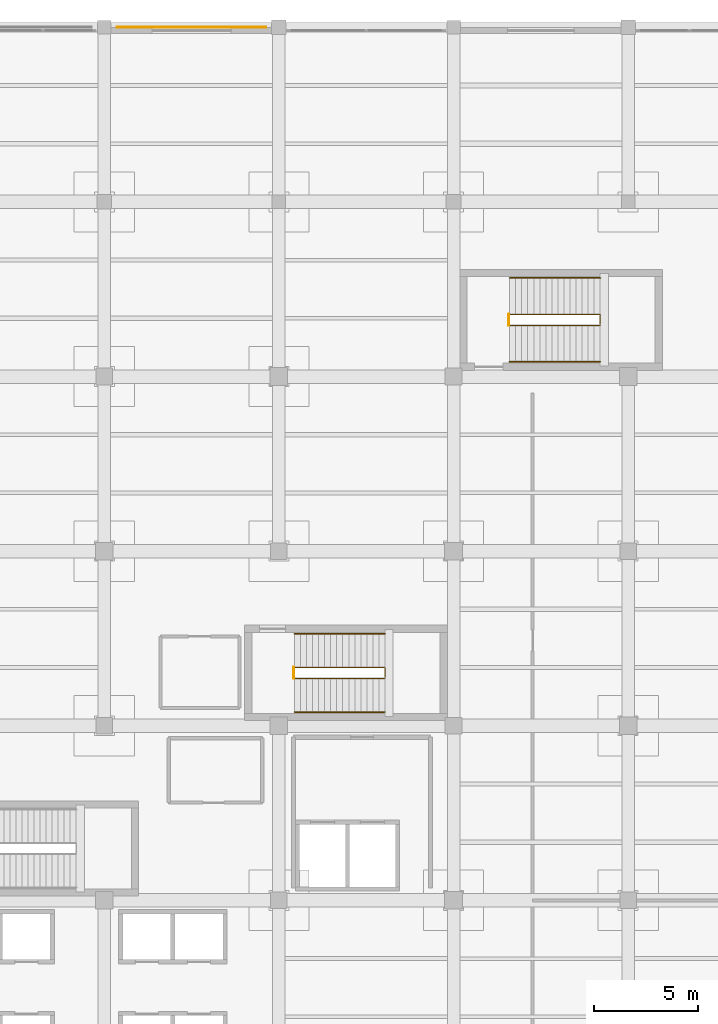
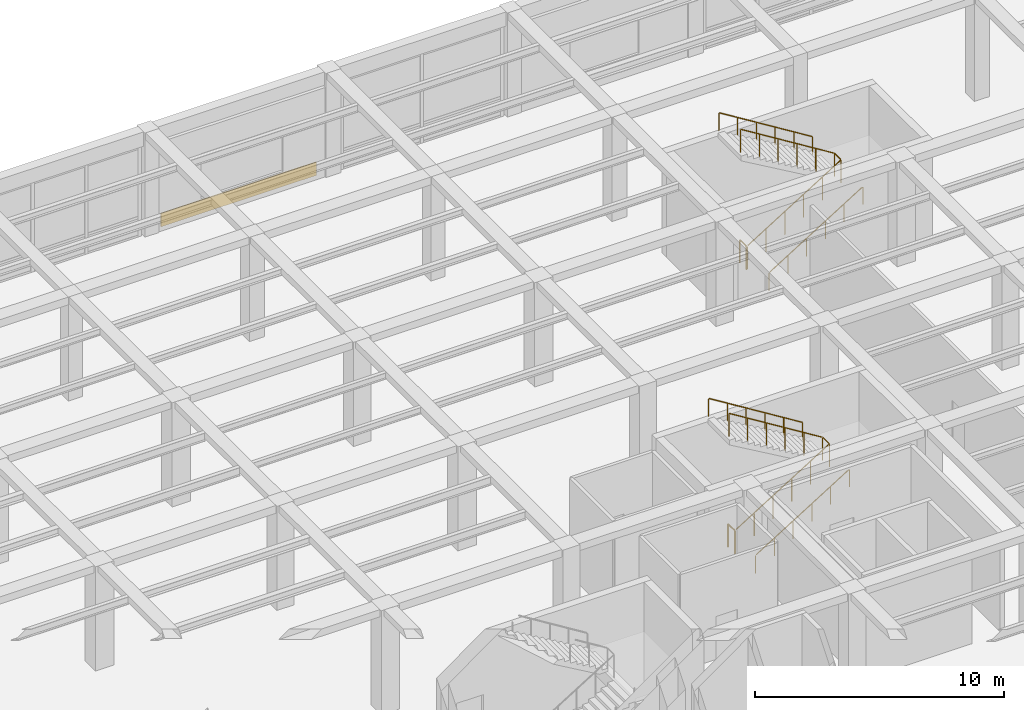
# One storey, part 95 of 96: 8 railings, 1 covering.
"""IFC4 building model written with IfcOpenShell, lengths in metres."""

from ifc_helpers import new_model, si_unit, direction, frame, origin, origin_2d, place, context, subcontext, project, spatial, rectangle, circle, extrude, material, layer, layer_set, type_object, element, save


model = new_model("IFC4")

# Units and contexts
model_context = context("Model", 3, precision=1e-05, world=origin(), true_north=direction((0.0, 1.0)))
body_context = subcontext(model_context, "Body", "Model", "MODEL_VIEW")
ifc_project = project(units=[si_unit("LENGTHUNIT", "METRE"), si_unit("AREAUNIT", "SQUARE_METRE"), si_unit("VOLUMEUNIT", "CUBIC_METRE"), si_unit("PLANEANGLEUNIT", "RADIAN"), si_unit("MASSUNIT", "GRAM", prefix="KILO")], contexts=[model_context])

# Site, building, storey
site_placement = place(None, origin())
site = spatial("IfcSite", under=ifc_project, at=site_placement, CompositionType="ELEMENT")
building_placement = place(site_placement, origin())
building = spatial("IfcBuilding", under=site, at=building_placement, Name="Almacenes y Pasaje Nevantli", CompositionType="ELEMENT")
storey_placement = place(building_placement, frame((0.0, 0.0, 6.0)))
storey = spatial("IfcBuildingStorey", under=building, at=storey_placement, Name="L02", CompositionType="ELEMENT", Elevation=6.0)

# Covering
ifc_material_1 = material(Name="Cantera Rosa Quarry Tuff Stone", Category="masonry")
ifc_layer = layer(ifc_material_1, 0.044921875)
ifc_layer_set = layer_set([ifc_layer], Name="Cantera Rosa Quarry Tuff Stone")
covering_type = type_object("IfcCoveringType", Name="COV-CANTERA-CLAD", PredefinedType="CLADDING", material=ifc_layer_set)
covering_placement = place(storey_placement, frame((130.199951171875, 117.60009765625, 0.0), z_axis=(0.0, 0.0, 1.0), x_axis=(1.0, 0.0, 0.0)))
element("IfcCovering", 1, at=covering_placement, inside=storey, type_object=covering_type, Name="Boulevard Polychrome Cantera Rosa Spandrel Cladding #16", PredefinedType="CLADDING", context=body_context, shape_type="SweptSolid", body=[
    extrude(rectangle(XDim=7.199951171875, YDim=0.044921875, at=origin_2d()), origin(), (0.0, 0.0, 1.0), 0.64990234375),
])

# Railings
ifc_material_2 = material(Name="Brushed Stainless Steel and Tempered Safety Glass", Category="steel")
railing_type_1 = type_object("IfcRailingType", Name="RL-GUARD-1100", PredefinedType="BALUSTRADE", material=ifc_material_2)
railing_1_placement = place(storey_placement, frame((135.14990234375, 86.280029296875, 0.0)))
element("IfcRailing", 2, at=railing_1_placement, inside=storey, type_object=railing_type_1, Name="L02 Stair ST-02 Inner Well Guard Balustrade", PredefinedType="BALUSTRADE", context=body_context, shape_type="SweptSolid", body=[
    extrude(circle(Radius=0.02392578125, at=origin_2d()), frame((0.025390625, 0.0, 1.1416015625), z_axis=(0.849649743971, 0.0, 0.527347430608), x_axis=(0.0, 1.0, 0.0)), (0.0, 0.0, 1.0), 5.059814453125),
    extrude(circle(Radius=0.02392578125, at=origin_2d()), frame((4.35009765625, 0.030029296875, 3.82568359375), z_axis=(0.0, 1.0, 0.0), x_axis=(-1.0, 0.0, 0.0)), (0.0, 0.0, 1.0), 0.469970703125),
    extrude(circle(Radius=0.02392578125, at=origin_2d()), frame((4.32470703125, 0.530029296875, 3.841552734375), z_axis=(-0.849649743971, 0.0, 0.527347430608), x_axis=(0.0, -1.0, 0.0)), (0.0, 0.0, 1.0), 5.059814453125),
    extrude(circle(Radius=0.02099609375, at=origin_2d()), origin(), (0.0, 0.0, 1.0), 1.096923828125),
    extrude(circle(Radius=0.02099609375, at=origin_2d()), frame((0.8701171875, 0.0, 0.5400390625)), (0.0, 0.0, 1.0), 1.096923828125),
    extrude(circle(Radius=0.02099609375, at=origin_2d()), frame((1.739990234375, 0.0, 1.080078125)), (0.0, 0.0, 1.0), 1.096923828125),
    extrude(circle(Radius=0.02099609375, at=origin_2d()), frame((2.610107421875, 0.0, 1.619873046875)), (0.0, 0.0, 1.0), 1.096923828125),
    extrude(circle(Radius=0.02099609375, at=origin_2d()), frame((3.47998046875, 0.0, 2.159912109375)), (0.0, 0.0, 1.0), 1.096923828125),
    extrude(circle(Radius=0.02099609375, at=origin_2d()), frame((4.35009765625, 0.0, 2.699951171875)), (0.0, 0.0, 1.0), 1.096923828125),
    extrude(circle(Radius=0.02099609375, at=origin_2d()), frame((4.35009765625, 0.530029296875, 2.699951171875)), (0.0, 0.0, 1.0), 1.096923828125),
    extrude(circle(Radius=0.02099609375, at=origin_2d()), frame((3.47998046875, 0.530029296875, 3.239990234375)), (0.0, 0.0, 1.0), 1.096923828125),
    extrude(circle(Radius=0.02099609375, at=origin_2d()), frame((2.610107421875, 0.530029296875, 3.780029296875)), (0.0, 0.0, 1.0), 1.096923828125),
    extrude(circle(Radius=0.02099609375, at=origin_2d()), frame((1.739990234375, 0.530029296875, 4.31982421875)), (0.0, 0.0, 1.0), 1.096923828125),
    extrude(circle(Radius=0.02099609375, at=origin_2d()), frame((0.8701171875, 0.530029296875, 4.85986328125)), (0.0, 0.0, 1.0), 1.096923828125),
    extrude(circle(Radius=0.02099609375, at=origin_2d()), frame((0.0, 0.530029296875, 5.39990234375)), (0.0, 0.0, 1.0), 1.096923828125),
])
railing_2_placement = place(storey_placement, frame((135.110107421875, 86.280029296875, 0.0)))
element("IfcRailing", 3, at=railing_2_placement, inside=storey, type_object=railing_type_1, Name="L02 Stair ST-02 Landing Well Slot Guard", PredefinedType="BALUSTRADE", context=body_context, shape_type="SweptSolid", body=[
    extrude(circle(Radius=0.02392578125, at=origin_2d()), frame((0.0, 0.030029296875, 1.1259765625), z_axis=(0.0, 1.0, 0.0), x_axis=(-1.0, 0.0, 0.0)), (0.0, 0.0, 1.0), 0.469970703125),
    extrude(circle(Radius=0.02099609375, at=origin_2d()), origin(), (0.0, 0.0, 1.0), 1.096923828125),
    extrude(circle(Radius=0.02099609375, at=origin_2d()), frame((0.0, 0.530029296875, 0.0)), (0.0, 0.0, 1.0), 1.096923828125),
])
railing_3_placement = place(storey_placement, frame((145.5, 103.260009765625, 0.0)))
element("IfcRailing", 4, at=railing_3_placement, inside=storey, type_object=railing_type_1, Name="L02 Stair ST-07 Inner Well Guard Balustrade", PredefinedType="BALUSTRADE", context=body_context, shape_type="SweptSolid", body=[
    extrude(circle(Radius=0.02392578125, at=origin_2d()), frame((0.025390625, 0.0, 1.1416015625), z_axis=(0.849649743971, 0.0, 0.527347430608), x_axis=(0.0, 1.0, 0.0)), (0.0, 0.0, 1.0), 5.059814453125),
    extrude(circle(Radius=0.02392578125, at=origin_2d()), frame((4.35009765625, 0.030029296875, 3.82568359375), z_axis=(0.0, 1.0, 0.0), x_axis=(-1.0, 0.0, 0.0)), (0.0, 0.0, 1.0), 0.469970703125),
    extrude(circle(Radius=0.02392578125, at=origin_2d()), frame((4.32470703125, 0.530029296875, 3.841552734375), z_axis=(-0.849649743971, 0.0, 0.527347430608), x_axis=(0.0, -1.0, 0.0)), (0.0, 0.0, 1.0), 5.059814453125),
    extrude(circle(Radius=0.02099609375, at=origin_2d()), origin(), (0.0, 0.0, 1.0), 1.096923828125),
    extrude(circle(Radius=0.02099609375, at=origin_2d()), frame((0.8701171875, 0.0, 0.5400390625)), (0.0, 0.0, 1.0), 1.096923828125),
    extrude(circle(Radius=0.02099609375, at=origin_2d()), frame((1.739990234375, 0.0, 1.080078125)), (0.0, 0.0, 1.0), 1.096923828125),
    extrude(circle(Radius=0.02099609375, at=origin_2d()), frame((2.610107421875, 0.0, 1.619873046875)), (0.0, 0.0, 1.0), 1.096923828125),
    extrude(circle(Radius=0.02099609375, at=origin_2d()), frame((3.47998046875, 0.0, 2.159912109375)), (0.0, 0.0, 1.0), 1.096923828125),
    extrude(circle(Radius=0.02099609375, at=origin_2d()), frame((4.35009765625, 0.0, 2.699951171875)), (0.0, 0.0, 1.0), 1.096923828125),
    extrude(circle(Radius=0.02099609375, at=origin_2d()), frame((4.35009765625, 0.530029296875, 2.699951171875)), (0.0, 0.0, 1.0), 1.096923828125),
    extrude(circle(Radius=0.02099609375, at=origin_2d()), frame((3.47998046875, 0.530029296875, 3.239990234375)), (0.0, 0.0, 1.0), 1.096923828125),
    extrude(circle(Radius=0.02099609375, at=origin_2d()), frame((2.610107421875, 0.530029296875, 3.780029296875)), (0.0, 0.0, 1.0), 1.096923828125),
    extrude(circle(Radius=0.02099609375, at=origin_2d()), frame((1.739990234375, 0.530029296875, 4.31982421875)), (0.0, 0.0, 1.0), 1.096923828125),
    extrude(circle(Radius=0.02099609375, at=origin_2d()), frame((0.8701171875, 0.530029296875, 4.85986328125)), (0.0, 0.0, 1.0), 1.096923828125),
    extrude(circle(Radius=0.02099609375, at=origin_2d()), frame((0.0, 0.530029296875, 5.39990234375)), (0.0, 0.0, 1.0), 1.096923828125),
])
railing_4_placement = place(storey_placement, frame((145.4599609375, 103.260009765625, 0.0)))
element("IfcRailing", 5, at=railing_4_placement, inside=storey, type_object=railing_type_1, Name="L02 Stair ST-07 Landing Well Slot Guard", PredefinedType="BALUSTRADE", context=body_context, shape_type="SweptSolid", body=[
    extrude(circle(Radius=0.02392578125, at=origin_2d()), frame((0.0, 0.030029296875, 1.1259765625), z_axis=(0.0, 1.0, 0.0), x_axis=(-1.0, 0.0, 0.0)), (0.0, 0.0, 1.0), 0.469970703125),
    extrude(circle(Radius=0.02099609375, at=origin_2d()), origin(), (0.0, 0.0, 1.0), 1.096923828125),
    extrude(circle(Radius=0.02099609375, at=origin_2d()), frame((0.0, 0.530029296875, 0.0)), (0.0, 0.0, 1.0), 1.096923828125),
])
ifc_material_3 = material(Name="Brushed Stainless Steel Tube", Category="steel")
railing_type_2 = type_object("IfcRailingType", Name="RL-HANDRAIL-900", PredefinedType="HANDRAIL", material=ifc_material_3)
railing_5_placement = place(storey_placement, frame((135.14990234375, 84.659912109375, 0.0)))
element("IfcRailing", 6, at=railing_5_placement, inside=storey, type_object=railing_type_2, Name="L02 Stair ST-02 Lower Flight Handrail", PredefinedType="HANDRAIL", context=body_context, shape_type="SweptSolid", body=[
    extrude(circle(Radius=0.02392578125, at=origin_2d()), frame((0.025390625, 0.0, 0.8916015625), z_axis=(0.849649743971, 0.0, 0.527347430608), x_axis=(0.0, 1.0, 0.0)), (0.0, 0.0, 1.0), 5.059814453125),
    extrude(circle(Radius=0.02099609375, at=origin_2d()), origin(), (0.0, 0.0, 1.0), 0.846923828125),
    extrude(circle(Radius=0.02099609375, at=origin_2d()), frame((0.8701171875, 0.0, 0.5400390625)), (0.0, 0.0, 1.0), 0.846923828125),
    extrude(circle(Radius=0.02099609375, at=origin_2d()), frame((1.739990234375, 0.0, 1.080078125)), (0.0, 0.0, 1.0), 0.846923828125),
    extrude(circle(Radius=0.02099609375, at=origin_2d()), frame((2.610107421875, 0.0, 1.619873046875)), (0.0, 0.0, 1.0), 0.846923828125),
    extrude(circle(Radius=0.02099609375, at=origin_2d()), frame((3.47998046875, 0.0, 2.159912109375)), (0.0, 0.0, 1.0), 0.846923828125),
    extrude(circle(Radius=0.02099609375, at=origin_2d()), frame((4.35009765625, 0.0, 2.699951171875)), (0.0, 0.0, 1.0), 0.846923828125),
])
railing_6_placement = place(storey_placement, frame((139.5, 88.429931640625, 2.699951171875)))
element("IfcRailing", 7, at=railing_6_placement, inside=storey, type_object=railing_type_2, Name="L02 Stair ST-02 Upper Flight Handrail", PredefinedType="HANDRAIL", context=body_context, shape_type="SweptSolid", body=[
    extrude(circle(Radius=0.02392578125, at=origin_2d()), frame((-0.025390625, 0.0, 0.8916015625), z_axis=(-0.849649743971, 0.0, 0.527347430608), x_axis=(0.0, -1.0, 0.0)), (0.0, 0.0, 1.0), 5.059814453125),
    extrude(circle(Radius=0.02099609375, at=origin_2d()), origin(), (0.0, 0.0, 1.0), 0.846923828125),
    extrude(circle(Radius=0.02099609375, at=origin_2d()), frame((-0.8701171875, 0.0, 0.5400390625)), (0.0, 0.0, 1.0), 0.846923828125),
    extrude(circle(Radius=0.02099609375, at=origin_2d()), frame((-1.739990234375, 0.0, 1.080078125)), (0.0, 0.0, 1.0), 0.846923828125),
    extrude(circle(Radius=0.02099609375, at=origin_2d()), frame((-2.610107421875, 0.0, 1.619873046875)), (0.0, 0.0, 1.0), 0.846923828125),
    extrude(circle(Radius=0.02099609375, at=origin_2d()), frame((-3.47998046875, 0.0, 2.159912109375)), (0.0, 0.0, 1.0), 0.846923828125),
    extrude(circle(Radius=0.02099609375, at=origin_2d()), frame((-4.35009765625, 0.0, 2.699951171875)), (0.0, 0.0, 1.0), 0.846923828125),
])
railing_7_placement = place(storey_placement, frame((145.5, 101.510009765625, 0.0)))
element("IfcRailing", 8, at=railing_7_placement, inside=storey, type_object=railing_type_2, Name="L02 Stair ST-07 Lower Flight Handrail", PredefinedType="HANDRAIL", context=body_context, shape_type="SweptSolid", body=[
    extrude(circle(Radius=0.02392578125, at=origin_2d()), frame((0.025390625, 0.0, 0.8916015625), z_axis=(0.849649743971, 0.0, 0.527347430608), x_axis=(0.0, 1.0, 0.0)), (0.0, 0.0, 1.0), 5.059814453125),
    extrude(circle(Radius=0.02099609375, at=origin_2d()), origin(), (0.0, 0.0, 1.0), 0.846923828125),
    extrude(circle(Radius=0.02099609375, at=origin_2d()), frame((0.8701171875, 0.0, 0.5400390625)), (0.0, 0.0, 1.0), 0.846923828125),
    extrude(circle(Radius=0.02099609375, at=origin_2d()), frame((1.739990234375, 0.0, 1.080078125)), (0.0, 0.0, 1.0), 0.846923828125),
    extrude(circle(Radius=0.02099609375, at=origin_2d()), frame((2.610107421875, 0.0, 1.619873046875)), (0.0, 0.0, 1.0), 0.846923828125),
    extrude(circle(Radius=0.02099609375, at=origin_2d()), frame((3.47998046875, 0.0, 2.159912109375)), (0.0, 0.0, 1.0), 0.846923828125),
    extrude(circle(Radius=0.02099609375, at=origin_2d()), frame((4.35009765625, 0.0, 2.699951171875)), (0.0, 0.0, 1.0), 0.846923828125),
])
railing_8_placement = place(storey_placement, frame((149.85009765625, 105.5400390625, 2.699951171875)))
element("IfcRailing", 9, at=railing_8_placement, inside=storey, type_object=railing_type_2, Name="L02 Stair ST-07 Upper Flight Handrail", PredefinedType="HANDRAIL", context=body_context, shape_type="SweptSolid", body=[
    extrude(circle(Radius=0.02392578125, at=origin_2d()), frame((-0.025390625, 0.0, 0.8916015625), z_axis=(-0.849649743971, 0.0, 0.527347430608), x_axis=(0.0, -1.0, 0.0)), (0.0, 0.0, 1.0), 5.059814453125),
    extrude(circle(Radius=0.02099609375, at=origin_2d()), origin(), (0.0, 0.0, 1.0), 0.846923828125),
    extrude(circle(Radius=0.02099609375, at=origin_2d()), frame((-0.8701171875, 0.0, 0.5400390625)), (0.0, 0.0, 1.0), 0.846923828125),
    extrude(circle(Radius=0.02099609375, at=origin_2d()), frame((-1.739990234375, 0.0, 1.080078125)), (0.0, 0.0, 1.0), 0.846923828125),
    extrude(circle(Radius=0.02099609375, at=origin_2d()), frame((-2.610107421875, 0.0, 1.619873046875)), (0.0, 0.0, 1.0), 0.846923828125),
    extrude(circle(Radius=0.02099609375, at=origin_2d()), frame((-3.47998046875, 0.0, 2.159912109375)), (0.0, 0.0, 1.0), 0.846923828125),
    extrude(circle(Radius=0.02099609375, at=origin_2d()), frame((-4.35009765625, 0.0, 2.699951171875)), (0.0, 0.0, 1.0), 0.846923828125),
])

save(model, "model.ifc")
